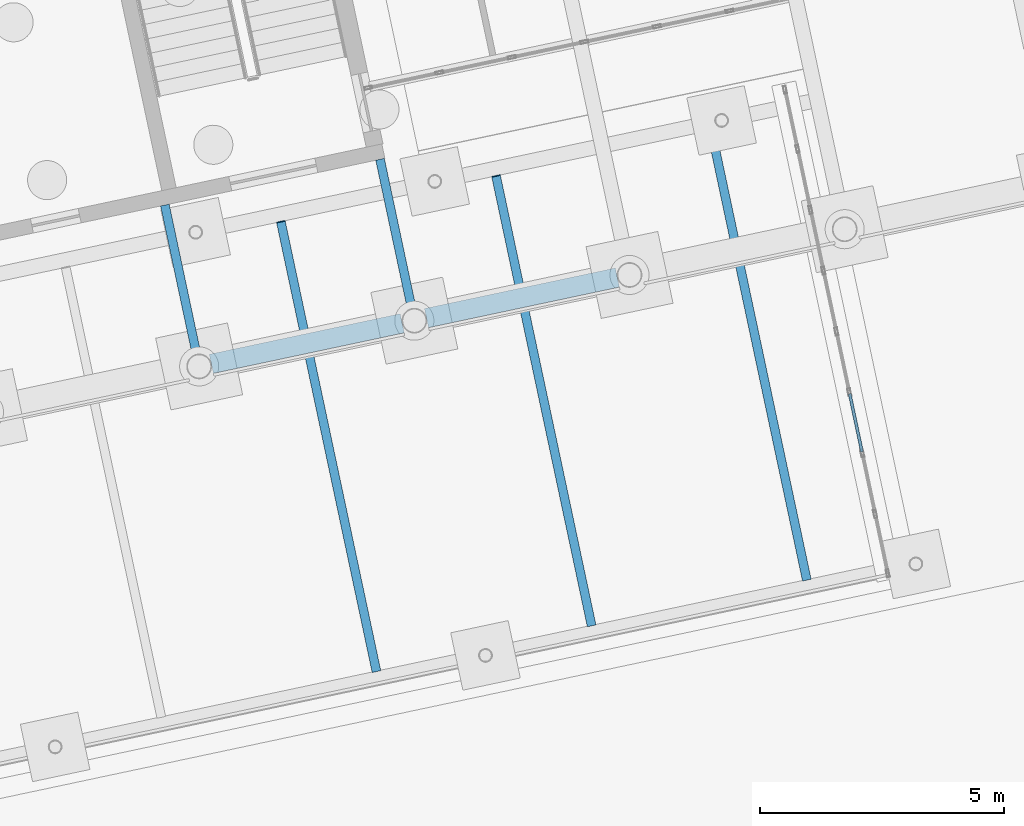
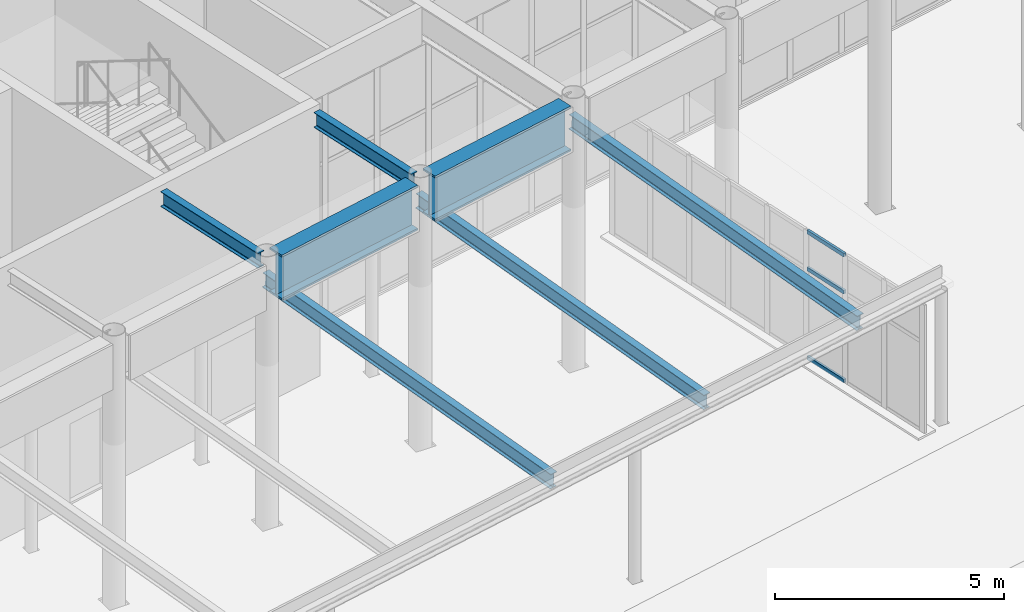
# One storey, part 79 of 239: 7 beams, 3 members, 1 element without a shape of its own.
"""IFC4 building model written with IfcOpenShell, lengths in metres."""

from ifc_helpers import new_model, si_unit, direction, frame, origin, origin_2d, place, context, subcontext, project, spatial, hollow_rectangle, i_section, extrude, material, material_profile, profile_set, type_object, element, aggregate, save


model = new_model("IFC4")

# Units and contexts
model_context = context("Model", 3, precision=1e-05, world=origin(), true_north=direction((0.0, 1.0)))
body_context = subcontext(model_context, "Body", "Model", "MODEL_VIEW")
ifc_project = project(units=[si_unit("LENGTHUNIT", "METRE"), si_unit("AREAUNIT", "SQUARE_METRE"), si_unit("VOLUMEUNIT", "CUBIC_METRE"), si_unit("PLANEANGLEUNIT", "RADIAN"), si_unit("MASSUNIT", "GRAM", prefix="KILO")], contexts=[model_context])

# Site, building, storey
site_placement = place(None, origin())
site = spatial("IfcSite", under=ifc_project, at=site_placement, CompositionType="ELEMENT")
building_placement = place(site_placement, origin())
building = spatial("IfcBuilding", under=site, at=building_placement, Name="Okhra Congress Centre", CompositionType="ELEMENT")
storey_placement = place(building_placement, origin())
storey = spatial("IfcBuildingStorey", under=building, at=storey_placement, Name="L00", CompositionType="ELEMENT", Elevation=0.0)

# Curtain wall, members
ifc_material_1 = material(Name="Aluminium curtain wall, triple glazing", Category="aluminium")
curtain_wall_type = type_object("IfcCurtainWallType", Name="Curtain wall 1200 module", PredefinedType="NOTDEFINED", material=ifc_material_1)
curtain_wall_placement = place(storey_placement, origin())
curtain_wall = element("IfcCurtainWall", 1, at=curtain_wall_placement, inside=storey, type_object=curtain_wall_type, Name="Porch glazed side 2", PredefinedType="NOTDEFINED")
ifc_material_2 = material(Name="Aluminium alloy EN AW-6063 T66", Category="aluminium")
ifc_material_profile_1 = material_profile(ifc_material_2, hollow_rectangle(XDim=0.06005859375, YDim=0.10009765625, WallThickness=0.00390625, at=origin_2d()), Name="RHS 60x100x4")
ifc_profile_set_1 = profile_set([ifc_material_profile_1], Name="Aluminium alloy EN AW-6063 T66")
member_type = type_object("IfcMemberType", Name="Curtain wall transom 60x100", PredefinedType="USERDEFINED", material=ifc_profile_set_1)
member_1_placement = place(storey_placement, frame((158.20166015625, 42.84033203125, 0.030029296875), z_axis=(-0.207878028706, 0.978154755231, 0.0), x_axis=(-0.978154755231, -0.207878028706, 0.0)))
member_1 = element("IfcMember", 2, at=member_1_placement, type_object=member_type, Name="CW8 transom 3.1", ObjectType="TRANSOM", PredefinedType="USERDEFINED", context=body_context, shape_type="SweptSolid", body=[
    extrude(hollow_rectangle(XDim=0.06005859375, YDim=0.10009765625, WallThickness=0.00390625, at=origin_2d()), origin(), (0.0, 0.0, 1.0), 1.2119140625),
])
member_2_placement = place(storey_placement, frame((158.20166015625, 42.84033203125, 2.39990234375), z_axis=(-0.207878028706, 0.978154755231, 0.0), x_axis=(-0.978154755231, -0.207878028706, 0.0)))
member_2 = element("IfcMember", 3, at=member_2_placement, type_object=member_type, Name="CW8 transom 3.2", ObjectType="TRANSOM", PredefinedType="USERDEFINED", context=body_context, shape_type="SweptSolid", body=[
    extrude(hollow_rectangle(XDim=0.06005859375, YDim=0.10009765625, WallThickness=0.00390625, at=origin_2d()), origin(), (0.0, 0.0, 1.0), 1.2119140625),
])
member_3_placement = place(storey_placement, frame((158.20166015625, 42.84033203125, 3.3857421875), z_axis=(-0.207878028706, 0.978154755231, 0.0), x_axis=(-0.978154755231, -0.207878028706, 0.0)))
member_3 = element("IfcMember", 4, at=member_3_placement, type_object=member_type, Name="CW8 transom 3.3", ObjectType="TRANSOM", PredefinedType="USERDEFINED", context=body_context, shape_type="SweptSolid", body=[
    extrude(hollow_rectangle(XDim=0.06005859375, YDim=0.10009765625, WallThickness=0.00390625, at=origin_2d()), origin(), (0.0, 0.0, 1.0), 1.2119140625),
])
aggregate(curtain_wall, [member_1, member_2, member_3])

# Beams
ifc_material_3 = material(Name="Steel S355J2", Category="steel")
ifc_material_profile_2 = material_profile(ifc_material_3, i_section(OverallWidth=0.179931640625, OverallDepth=0.39990234375, WebThickness=0.008544921875, FlangeThickness=0.013427734375, FilletRadius=0.02099609375, at=origin_2d()), Name="IPE 400")
ifc_profile_set_2 = profile_set([ifc_material_profile_2], Name="Steel S355J2")
beam_type_1 = type_object("IfcBeamType", Name="Floor beam stub IPE 400", PredefinedType="BEAM", material=ifc_profile_set_2)
beam_1_placement = place(storey_placement, frame((144.60107421875, 44.78125, 6.85009765625), z_axis=(-0.207916691923, 0.978146537703, 0.0), x_axis=(-0.978146537703, -0.207916691923, 0.0)))
element("IfcBeam", 5, at=beam_1_placement, inside=storey, type_object=beam_type_1, Name="Floor beam 19.1", PredefinedType="BEAM", context=body_context, shape_type="SweptSolid", body=[
    extrude(i_section(OverallWidth=0.179931640625, OverallDepth=0.39990234375, WebThickness=0.008544921875, FlangeThickness=0.013427734375, FilletRadius=0.02099609375, at=origin_2d()), origin(), (0.0, 0.0, 1.0), 3.175048828125),
])
beam_2_placement = place(storey_placement, frame((149.002685546875, 45.717041015625, 6.85009765625), z_axis=(-0.207932330883, 0.978143213325, 0.0), x_axis=(-0.978143213325, -0.207932330883, 0.0)))
element("IfcBeam", 6, at=beam_2_placement, inside=storey, type_object=beam_type_1, Name="Floor beam 20.1", PredefinedType="BEAM", context=body_context, shape_type="SweptSolid", body=[
    extrude(i_section(OverallWidth=0.179931640625, OverallDepth=0.39990234375, WebThickness=0.008544921875, FlangeThickness=0.013427734375, FilletRadius=0.02099609375, at=origin_2d()), origin(), (0.0, 0.0, 1.0), 3.1748046875),
])
ifc_material_profile_3 = material_profile(ifc_material_3, i_section(OverallWidth=0.39990234375, OverallDepth=1.199951171875, WebThickness=0.02490234375, FlangeThickness=0.050048828125, at=origin_2d()), Name="Plate girder 1200x400")
ifc_profile_set_3 = profile_set([ifc_material_profile_3], Name="Steel S355J2")
beam_type_2 = type_object("IfcBeamType", Name="Perimeter plate girder 1200x400", PredefinedType="BEAM", material=ifc_profile_set_3)
for number, where, z_axis, x_axis, name in (
    (7, (144.89111328125, 44.638427734375, 6.449951171875), (0.978142994281, 0.207933361295, 0.0), (-0.207933361295, 0.978142994281, 0.0), "Perimeter girder S17"),
    (8, (149.292724609375, 45.57421875, 6.449951171875), (0.978155431297, 0.207874847504, 0.0), (-0.207874847504, 0.978155431297, 0.0), "Perimeter girder S18"),
):
    element("IfcBeam", number, at=place(storey_placement, frame(where, z_axis=z_axis, x_axis=x_axis)), inside=storey, type_object=beam_type_2, Name=name, PredefinedType="BEAM", context=body_context, shape_type="SweptSolid", body=[
        extrude(i_section(OverallWidth=0.39990234375, OverallDepth=1.199951171875, WebThickness=0.02490234375, FlangeThickness=0.050048828125, at=origin_2d()), origin(), (0.0, 0.0, 1.0), 3.991943359375),
    ])
ifc_material_profile_4 = material_profile(ifc_material_3, i_section(OverallWidth=0.179931640625, OverallDepth=0.39990234375, WebThickness=0.008544921875, FlangeThickness=0.013427734375, FilletRadius=0.02099609375, at=origin_2d()), Name="IPE 400")
ifc_profile_set_4 = profile_set([ifc_material_profile_4], Name="Steel S355J2")
beam_type_3 = type_object("IfcBeamType", Name="Porch roof beam IPE 400", PredefinedType="BEAM", material=ifc_profile_set_4)
for number, where, z_axis, x_axis, name in (
    (9, (148.267578125, 38.353271484375, 3.57861328125), (-0.207624405442, 0.976807337082, 0.052340543433), (-0.978148090206, -0.207909388017, 0.0), "Porch roof beam 6"),
    (10, (152.669189453125, 39.288818359375, 3.57861328125), (-0.207624405442, 0.976807337082, 0.052340543433), (-0.978148090206, -0.207909388017, 0.0), "Porch roof beam 7"),
    (11, (157.071044921875, 40.224365234375, 3.57861328125), (-0.207624405442, 0.976807337082, 0.052340543433), (-0.978148090206, -0.207909388017, 0.0), "Porch roof beam 8"),
):
    element("IfcBeam", number, at=place(storey_placement, frame(where, z_axis=z_axis, x_axis=x_axis)), inside=storey, type_object=beam_type_3, Name=name, PredefinedType="BEAM", context=body_context, shape_type="SweptSolid", body=[
        extrude(i_section(OverallWidth=0.179931640625, OverallDepth=0.39990234375, WebThickness=0.008544921875, FlangeThickness=0.013427734375, FilletRadius=0.02099609375, at=origin_2d()), origin(), (0.0, 0.0, 1.0), 9.412841796875),
    ])

save(model, "model.ifc")
